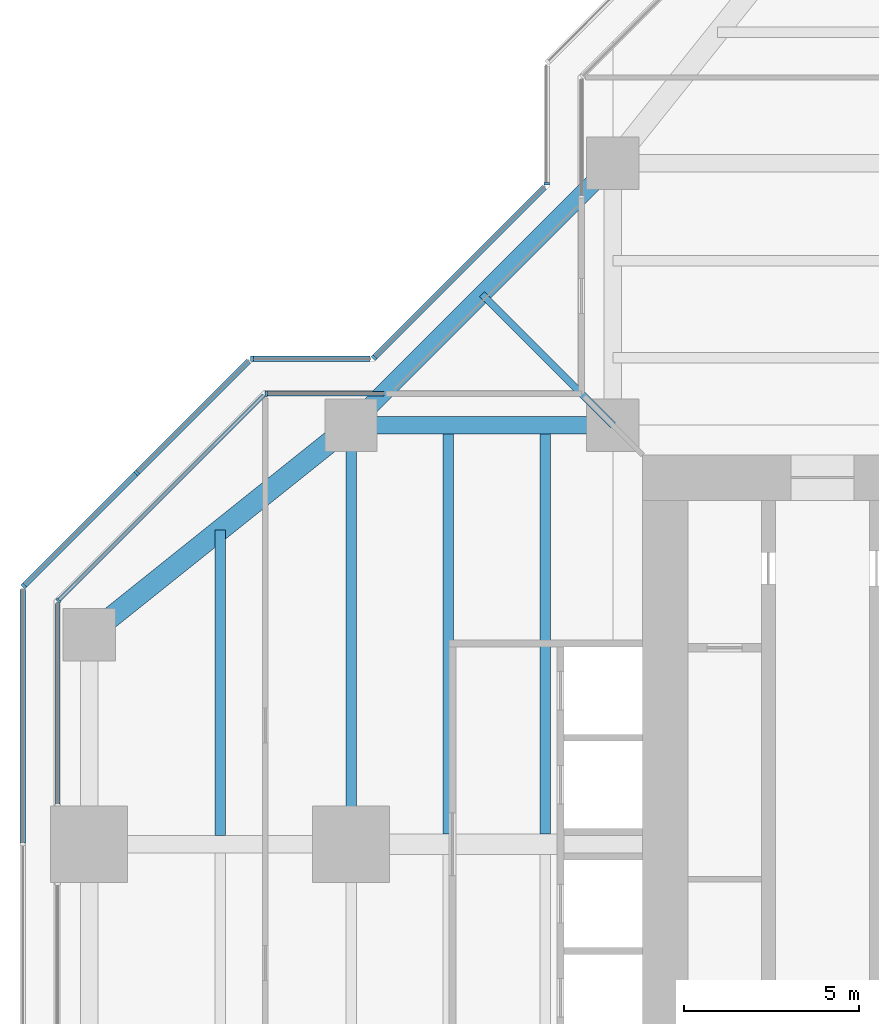
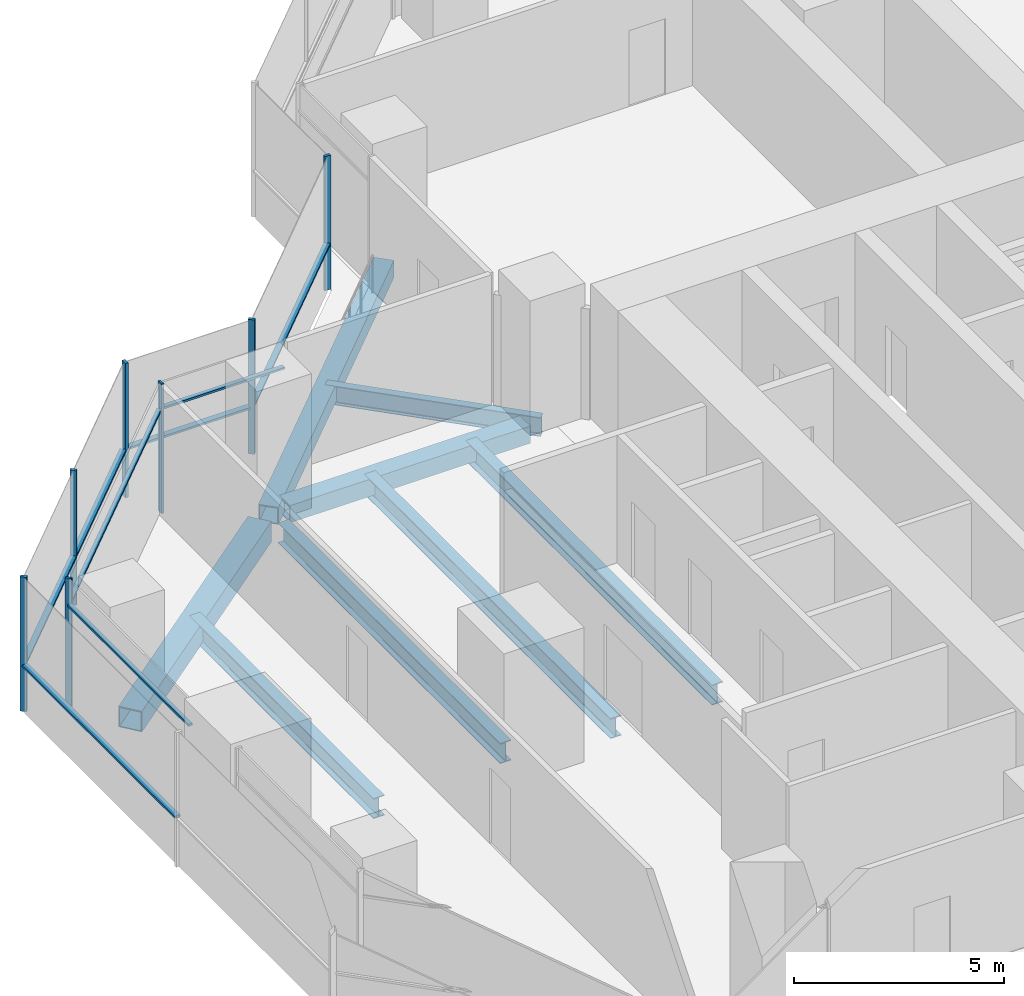
# One storey, part 6 of 17: 15 members, 8 beams, 8 elements without a shape of their own.
"""IFC4 building model written with IfcOpenShell, lengths in metres."""

from ifc_helpers import new_model, si_unit, direction, frame, origin, origin_2d, place, context, subcontext, project, spatial, rectangle, hollow_rectangle, i_section, extrude, material, material_profile, profile_set, type_object, element, aggregate, save


model = new_model("IFC4")

# Units and contexts
model_context = context("Model", 3, precision=1e-05, world=origin(), true_north=direction((0.0, 1.0)))
body_context = subcontext(model_context, "Body", "Model", "MODEL_VIEW")
ifc_project = project(units=[si_unit("LENGTHUNIT", "METRE"), si_unit("AREAUNIT", "SQUARE_METRE"), si_unit("VOLUMEUNIT", "CUBIC_METRE"), si_unit("PLANEANGLEUNIT", "RADIAN"), si_unit("MASSUNIT", "GRAM", prefix="KILO")], contexts=[model_context])

# Site, building, storey
site_placement = place(None, origin())
site = spatial("IfcSite", under=ifc_project, at=site_placement, CompositionType="ELEMENT")
building_placement = place(site_placement, origin())
building = spatial("IfcBuilding", under=site, at=building_placement, Name="Mizan Broadcast Tower", CompositionType="ELEMENT")
storey_placement = place(building_placement, frame((0.0, 0.0, 216.60009765625)))
storey = spatial("IfcBuildingStorey", under=building, at=storey_placement, Name="L50", CompositionType="ELEMENT", Elevation=216.60009765625)

# Beams
ifc_material_1 = material(Name="Steel S355", Category="steel")
ifc_material_profile_1 = material_profile(ifc_material_1, hollow_rectangle(XDim=0.5, YDim=0.5, WallThickness=0.030029296875, at=origin_2d()), Name="BOX 500x500x30")
ifc_profile_set_1 = profile_set([ifc_material_profile_1], Name="Steel S355")
beam_type_1 = type_object("IfcBeamType", Name="EDGE BEAM BOX 500x500x30", PredefinedType="SPANDREL", material=ifc_profile_set_1)
beam_1_placement = place(storey_placement, frame((-12.449951171875, 12.0, -0.380126953125), z_axis=(-1.0, 0.0, 0.0), x_axis=(0.0, -1.0, 0.0)))
element("IfcBeam", 1, at=beam_1_placement, inside=storey, type_object=beam_type_1, Name="Edge beam BOX 500x500x30 L50 west arm", PredefinedType="SPANDREL", context=body_context, shape_type="SweptSolid", body=[
    extrude(hollow_rectangle(XDim=0.5, YDim=0.5, WallThickness=0.030029296875, at=origin_2d()), origin(), (0.0, 0.0, 1.0), 6.60009765625),
])
beam_2_placement = place(storey_placement, frame((-12.0, 19.5, -0.380126953125), z_axis=(-0.707106781187, -0.707106781187, 0.0), x_axis=(0.707106781187, -0.707106781187, 0.0)))
element("IfcBeam", 2, at=beam_2_placement, inside=storey, type_object=beam_type_1, Name="Winter garden edge beam L50 N", PredefinedType="SPANDREL", context=body_context, shape_type="SweptSolid", body=[
    extrude(hollow_rectangle(XDim=0.5, YDim=0.5, WallThickness=0.030029296875, at=origin_2d()), origin(), (0.0, 0.0, 1.0), 10.606689453125),
])
ifc_material_2 = material(Name="Steel S355", Category="steel")
ifc_material_profile_2 = material_profile(ifc_material_2, hollow_rectangle(XDim=0.60009765625, YDim=0.60009765625, WallThickness=0.030029296875, at=origin_2d()), Name="BOX 600x600x30")
ifc_profile_set_2 = profile_set([ifc_material_profile_2], Name="Steel S355")
beam_type_2 = type_object("IfcBeamType", Name="EDGE BEAM BOX 600x600x30", PredefinedType="SPANDREL", material=ifc_profile_set_2)
beam_3_placement = place(storey_placement, frame((-19.949951171875, 11.639892578125, -0.43017578125), z_axis=(-0.780885717636, -0.624673911726, 0.0), x_axis=(0.624673911726, -0.780885717636, 0.0)))
element("IfcBeam", 3, at=beam_3_placement, inside=storey, type_object=beam_type_2, Name="Edge beam BOX 600x600x30 L50 west arm", PredefinedType="SPANDREL", context=body_context, shape_type="SweptSolid", body=[
    extrude(hollow_rectangle(XDim=0.60009765625, YDim=0.60009765625, WallThickness=0.030029296875, at=origin_2d()), origin(), (0.0, 0.0, 1.0), 8.4521484375),
])
ifc_material_3 = material(Name="Steel S355", Category="steel")
ifc_material_profile_3 = material_profile(ifc_material_3, i_section(OverallWidth=0.300048828125, OverallDepth=0.590087890625, WebThickness=0.012939453125, FlangeThickness=0.02490234375, FilletRadius=0.027099609375, at=origin_2d()), Name="HEA 600")
ifc_profile_set_3 = profile_set([ifc_material_profile_3], Name="Steel S355")
beam_type_3 = type_object("IfcBeamType", Name="GIRDER HEA 600", PredefinedType="BEAM", material=ifc_profile_set_3)
beam_4_placement = place(storey_placement, frame((-19.5, 11.280029296875, -0.425048828125), z_axis=(0.0, -1.0, 0.0), x_axis=(1.0, 0.0, 0.0)))
element("IfcBeam", 4, at=beam_4_placement, inside=storey, type_object=beam_type_3, Name="Girder HEA 600 L50 west arm", PredefinedType="BEAM", context=body_context, shape_type="SweptSolid", body=[
    extrude(i_section(OverallWidth=0.300048828125, OverallDepth=0.590087890625, WebThickness=0.012939453125, FlangeThickness=0.02490234375, FilletRadius=0.027099609375, at=origin_2d()), origin(), (0.0, 0.0, 1.0), 10.56005859375),
])

# Curtain wall, member
ifc_material_4 = material(Name="Aluminium framed glazing", Category="aluminium")
curtain_wall_type_1 = type_object("IfcCurtainWallType", Name="INNER SKIN HIGH ZONE", PredefinedType="USERDEFINED", material=ifc_material_4)
curtain_wall_1_placement = place(storey_placement, origin())
curtain_wall_1 = element("IfcCurtainWall", 5, at=curtain_wall_1_placement, inside=storey, type_object=curtain_wall_type_1, Name="Inner skin high zone L50 W side", ObjectType="INNER SKIN HIGH ZONE", PredefinedType="USERDEFINED")
ifc_material_5 = material(Name="Aluminium, pale anodised", Category="aluminium")
ifc_material_profile_4 = material_profile(ifc_material_5, rectangle(XDim=0.159912109375, YDim=0.06005859375, at=origin_2d()), Name="MULLION 160x60")
ifc_profile_set_4 = profile_set([ifc_material_profile_4], Name="Aluminium, pale anodised")
member_type_1 = type_object("IfcMemberType", Name="INNER SKIN MULLION 60x160", PredefinedType="MULLION", material=ifc_profile_set_4)
member_1_placement = place(storey_placement, frame((-21.928466796875, 12.89990234375, 0.0), z_axis=(0.0, 0.0, 1.0), x_axis=(0.0, -1.0, 0.0)))
member_1 = element("IfcMember", 6, at=member_1_placement, type_object=member_type_1, Name="Inner skin high zone L50 W side mullion 2", PredefinedType="MULLION", context=body_context, shape_type="SweptSolid", body=[
    extrude(rectangle(XDim=0.159912109375, YDim=0.06005859375, at=origin_2d()), origin(), (0.0, 0.0, 1.0), 3.77001953125),
])

curtain_wall_2_placement = place(storey_placement, origin())
curtain_wall_2 = element("IfcCurtainWall", 7, at=curtain_wall_2_placement, inside=storey, type_object=curtain_wall_type_1, Name="Inner skin high zone L50 W chamfer", ObjectType="INNER SKIN HIGH ZONE", PredefinedType="USERDEFINED")
member_2_placement = place(storey_placement, frame((-27.87890625, 6.979736328125, 0.0), z_axis=(0.0, 0.0, 1.0), x_axis=(0.707106781187, -0.707106781187, 0.0)))
member_2 = element("IfcMember", 8, at=member_2_placement, type_object=member_type_1, Name="Inner skin high zone L50 W chamfer mullion 2", PredefinedType="MULLION", context=body_context, shape_type="SweptSolid", body=[
    extrude(rectangle(XDim=0.159912109375, YDim=0.06005859375, at=origin_2d()), origin(), (0.0, 0.0, 1.0), 3.77001953125),
])

# Member
ifc_material_6 = material(Name="Aluminium, pale anodised", Category="aluminium")
ifc_material_profile_5 = material_profile(ifc_material_6, rectangle(XDim=0.1201171875, YDim=0.06005859375, at=origin_2d()), Name="TRANSOM 120x60")
ifc_profile_set_5 = profile_set([ifc_material_profile_5], Name="Aluminium, pale anodised")
member_type_2 = type_object("IfcMemberType", Name="INNER SKIN TRANSOM 60x120", PredefinedType="USERDEFINED", material=ifc_profile_set_5)
member_3_placement = place(storey_placement, frame((-18.56005859375, 12.89990234375, 3.02978515625), z_axis=(-1.0, 0.0, 0.0), x_axis=(0.0, -1.0, 0.0)))
member_3 = element("IfcMember", 9, at=member_3_placement, type_object=member_type_2, Name="Inner skin high zone L50 W side transom 1.1", ObjectType="TRANSOM", PredefinedType="USERDEFINED", context=body_context, shape_type="SweptSolid", body=[
    extrude(rectangle(XDim=0.1201171875, YDim=0.06005859375, at=origin_2d()), origin(), (0.0, 0.0, 1.0), 3.338623046875),
])

aggregate(curtain_wall_1, [member_1, member_3])

member_4_placement = place(storey_placement, frame((-22.0009765625, 12.857666015625, 3.02978515625), z_axis=(-0.707106781187, -0.707106781187, 0.0), x_axis=(0.707106781187, -0.707106781187, 0.0)))
member_4 = element("IfcMember", 10, at=member_4_placement, type_object=member_type_2, Name="Inner skin high zone L50 W chamfer transom 1.1", ObjectType="TRANSOM", PredefinedType="USERDEFINED", context=body_context, shape_type="SweptSolid", body=[
    extrude(rectangle(XDim=0.1201171875, YDim=0.06005859375, at=origin_2d()), origin(), (0.0, 0.0, 1.0), 8.28271484375),
])

aggregate(curtain_wall_2, [member_2, member_4])

# Curtain wall, member
curtain_wall_3_placement = place(storey_placement, origin())
curtain_wall_3 = element("IfcCurtainWall", 11, at=curtain_wall_3_placement, inside=storey, type_object=curtain_wall_type_1, Name="Inner skin high zone L50 W end", ObjectType="INNER SKIN HIGH ZONE", PredefinedType="USERDEFINED")
member_5_placement = place(storey_placement, frame((-27.89990234375, 6.898681640625, 3.02978515625), z_axis=(0.0, -1.0, 0.0), x_axis=(1.0, 0.0, 0.0)))
member_5 = element("IfcMember", 12, at=member_5_placement, type_object=member_type_2, Name="Inner skin high zone L50 W end transom 1.1", ObjectType="TRANSOM", PredefinedType="USERDEFINED", context=body_context, shape_type="SweptSolid", body=[
    extrude(rectangle(XDim=0.1201171875, YDim=0.06005859375, at=origin_2d()), origin(), (0.0, 0.0, 1.0), 5.73876953125),
])
aggregate(curtain_wall_3, [member_5])

ifc_material_7 = material(Name="Aluminium framed glazing", Category="aluminium")
curtain_wall_type_2 = type_object("IfcCurtainWallType", Name="OUTER SKIN", PredefinedType="USERDEFINED", material=ifc_material_7)
curtain_wall_4_placement = place(storey_placement, origin())
curtain_wall_4 = element("IfcCurtainWall", 13, at=curtain_wall_4_placement, inside=storey, type_object=curtain_wall_type_2, Name="Outer skin L50 N side", ObjectType="OUTER SKIN", PredefinedType="USERDEFINED")
ifc_material_8 = material(Name="Aluminium, pale anodised", Category="aluminium")
ifc_material_profile_6 = material_profile(ifc_material_8, rectangle(XDim=0.159912109375, YDim=0.080078125, at=origin_2d()), Name="MULLION 160x80")
ifc_profile_set_6 = profile_set([ifc_material_profile_6], Name="Aluminium, pale anodised")
member_type_3 = type_object("IfcMemberType", Name="OUTER SKIN MULLION 80x160", PredefinedType="MULLION", material=ifc_profile_set_6)
member_6_placement = place(storey_placement, frame((-13.89990234375, 18.912841796875, 0.0), z_axis=(0.0, 0.0, 1.0), x_axis=(1.0, 0.0, 0.0)))
member_6 = element("IfcMember", 14, at=member_6_placement, type_object=member_type_3, Name="Outer skin L50 N side mullion 2", PredefinedType="MULLION", context=body_context, shape_type="SweptSolid", body=[
    extrude(rectangle(XDim=0.159912109375, YDim=0.080078125, at=origin_2d()), origin(), (0.0, 0.0, 1.0), 3.89990234375),
])
aggregate(curtain_wall_4, [member_6])

curtain_wall_5_placement = place(storey_placement, origin())
curtain_wall_5 = element("IfcCurtainWall", 15, at=curtain_wall_5_placement, inside=storey, type_object=curtain_wall_type_2, Name="Outer skin L50 W chamfer", ObjectType="OUTER SKIN", PredefinedType="USERDEFINED")
member_7_placement = place(storey_placement, frame((-18.844482421875, 13.92822265625, 0.0), z_axis=(0.0, 0.0, 1.0), x_axis=(0.707106781187, -0.707106781187, 0.0)))
member_7 = element("IfcMember", 16, at=member_7_placement, type_object=member_type_3, Name="Outer skin L50 W chamfer mullion 2", PredefinedType="MULLION", context=body_context, shape_type="SweptSolid", body=[
    extrude(rectangle(XDim=0.159912109375, YDim=0.080078125, at=origin_2d()), origin(), (0.0, 0.0, 1.0), 3.89990234375),
])

curtain_wall_6_placement = place(storey_placement, origin())
curtain_wall_6 = element("IfcCurtainWall", 17, at=curtain_wall_6_placement, inside=storey, type_object=curtain_wall_type_2, Name="Outer skin L50 W side", ObjectType="OUTER SKIN", PredefinedType="USERDEFINED")
member_8_placement = place(storey_placement, frame((-22.332763671875, 13.89990234375, 0.0), z_axis=(0.0, 0.0, 1.0), x_axis=(0.0, -1.0, 0.0)))
member_8 = element("IfcMember", 18, at=member_8_placement, type_object=member_type_3, Name="Outer skin L50 W side mullion 2", PredefinedType="MULLION", context=body_context, shape_type="SweptSolid", body=[
    extrude(rectangle(XDim=0.159912109375, YDim=0.080078125, at=origin_2d()), origin(), (0.0, 0.0, 1.0), 3.89990234375),
])

# Curtain wall, members
curtain_wall_7_placement = place(storey_placement, origin())
curtain_wall_7 = element("IfcCurtainWall", 19, at=curtain_wall_7_placement, inside=storey, type_object=curtain_wall_type_2, Name="Outer skin L50 W chamfer", ObjectType="OUTER SKIN", PredefinedType="USERDEFINED")
member_9_placement = place(storey_placement, frame((-25.636474609375, 10.636474609375, 0.0), z_axis=(0.0, 0.0, 1.0), x_axis=(0.707106781187, -0.707106781187, 0.0)))
member_9 = element("IfcMember", 20, at=member_9_placement, type_object=member_type_3, Name="Outer skin L50 W chamfer mullion 2", PredefinedType="MULLION", context=body_context, shape_type="SweptSolid", body=[
    extrude(rectangle(XDim=0.159912109375, YDim=0.080078125, at=origin_2d()), origin(), (0.0, 0.0, 1.0), 3.89990234375),
])
member_10_placement = place(storey_placement, frame((-28.871826171875, 7.401123046875, 0.0), z_axis=(0.0, 0.0, 1.0), x_axis=(0.707106781187, -0.707106781187, 0.0)))
member_10 = element("IfcMember", 21, at=member_10_placement, type_object=member_type_3, Name="Outer skin L50 W chamfer mullion 3", PredefinedType="MULLION", context=body_context, shape_type="SweptSolid", body=[
    extrude(rectangle(XDim=0.159912109375, YDim=0.080078125, at=origin_2d()), origin(), (0.0, 0.0, 1.0), 3.89990234375),
])

# Member
ifc_material_9 = material(Name="Aluminium, pale anodised", Category="aluminium")
ifc_material_profile_7 = material_profile(ifc_material_9, rectangle(XDim=0.159912109375, YDim=0.06005859375, at=origin_2d()), Name="TRANSOM 160x60")
ifc_profile_set_7 = profile_set([ifc_material_profile_7], Name="Aluminium, pale anodised")
member_type_4 = type_object("IfcMemberType", Name="OUTER SKIN TRANSOM 60x160", PredefinedType="USERDEFINED", material=ifc_profile_set_7)
member_11_placement = place(storey_placement, frame((-13.95654296875, 18.816162109375, 1.39990234375), z_axis=(-0.707106781187, -0.707106781187, 0.0), x_axis=(0.707106781187, -0.707106781187, 0.0)))
member_11 = element("IfcMember", 22, at=member_11_placement, type_object=member_type_4, Name="Outer skin L50 W chamfer transom 1.1", ObjectType="TRANSOM", PredefinedType="USERDEFINED", context=body_context, shape_type="SweptSolid", body=[
    extrude(rectangle(XDim=0.159912109375, YDim=0.06005859375, at=origin_2d()), origin(), (0.0, 0.0, 1.0), 6.87255859375),
])

aggregate(curtain_wall_5, [member_7, member_11])

member_12_placement = place(storey_placement, frame((-18.952880859375, 13.89990234375, 1.39990234375), z_axis=(-1.0, 0.0, 0.0), x_axis=(0.0, -1.0, 0.0)))
member_12 = element("IfcMember", 23, at=member_12_placement, type_object=member_type_4, Name="Outer skin L50 W side transom 1.1", ObjectType="TRANSOM", PredefinedType="USERDEFINED", context=body_context, shape_type="SweptSolid", body=[
    extrude(rectangle(XDim=0.159912109375, YDim=0.06005859375, at=origin_2d()), origin(), (0.0, 0.0, 1.0), 3.33984375),
])

aggregate(curtain_wall_6, [member_8, member_12])

member_13_placement = place(storey_placement, frame((-22.429443359375, 13.843505859375, 1.39990234375), z_axis=(-0.707106781187, -0.707106781187, 0.0), x_axis=(0.707106781187, -0.707106781187, 0.0)))
member_13 = element("IfcMember", 24, at=member_13_placement, type_object=member_type_4, Name="Outer skin L50 W chamfer transom 1.1", ObjectType="TRANSOM", PredefinedType="USERDEFINED", context=body_context, shape_type="SweptSolid", body=[
    extrude(rectangle(XDim=0.159912109375, YDim=0.06005859375, at=origin_2d()), origin(), (0.0, 0.0, 1.0), 4.495361328125),
])

member_14_placement = place(storey_placement, frame((-25.664794921875, 10.608154296875, 1.39990234375), z_axis=(-0.707106781187, -0.707106781187, 0.0), x_axis=(0.707106781187, -0.707106781187, 0.0)))
member_14 = element("IfcMember", 25, at=member_14_placement, type_object=member_type_4, Name="Outer skin L50 W chamfer transom 2.1", ObjectType="TRANSOM", PredefinedType="USERDEFINED", context=body_context, shape_type="SweptSolid", body=[
    extrude(rectangle(XDim=0.159912109375, YDim=0.06005859375, at=origin_2d()), origin(), (0.0, 0.0, 1.0), 4.495361328125),
])

aggregate(curtain_wall_7, [member_9, member_10, member_13, member_14])

# Curtain wall, member
curtain_wall_8_placement = place(storey_placement, origin())
curtain_wall_8 = element("IfcCurtainWall", 26, at=curtain_wall_8_placement, inside=storey, type_object=curtain_wall_type_2, Name="Outer skin L50 W end", ObjectType="OUTER SKIN", PredefinedType="USERDEFINED")
member_15_placement = place(storey_placement, frame((-28.89990234375, 7.292724609375, 1.39990234375), z_axis=(0.0, -1.0, 0.0), x_axis=(1.0, 0.0, 0.0)))
member_15 = element("IfcMember", 27, at=member_15_placement, type_object=member_type_4, Name="Outer skin L50 W end transom 1.1", ObjectType="TRANSOM", PredefinedType="USERDEFINED", context=body_context, shape_type="SweptSolid", body=[
    extrude(rectangle(XDim=0.159912109375, YDim=0.06005859375, at=origin_2d()), origin(), (0.0, 0.0, 1.0), 7.252685546875),
])
aggregate(curtain_wall_8, [member_15])

# Beams
ifc_material_10 = material(Name="Steel S355", Category="steel")
ifc_material_profile_8 = material_profile(ifc_material_10, i_section(OverallWidth=0.300048828125, OverallDepth=0.590087890625, WebThickness=0.012939453125, FlangeThickness=0.02490234375, FilletRadius=0.027099609375, at=origin_2d()), Name="HEA 600")
ifc_profile_set_8 = profile_set([ifc_material_profile_8], Name="Steel S355")
beam_type_4 = type_object("IfcBeamType", Name="SECONDARY BEAM HEA 600", PredefinedType="JOIST", material=ifc_profile_set_8)
for number, where, z_axis, x_axis, name in (
    (28, (-13.933349609375, 12.0, -0.425048828125), (0.0, -1.0, 0.0), (1.0, 0.0, 0.0), "Secondary beam HEA 600 L50 west arm"),
    (29, (-16.716552734375, 12.0, -0.425048828125), (0.0, -1.0, 0.0), (1.0, 0.0, 0.0), "Secondary beam HEA 600 L50 west arm"),
):
    element("IfcBeam", number, at=place(storey_placement, frame(where, z_axis=z_axis, x_axis=x_axis)), inside=storey, type_object=beam_type_4, Name=name, PredefinedType="JOIST", context=body_context, shape_type="SweptSolid", body=[
        extrude(i_section(OverallWidth=0.300048828125, OverallDepth=0.590087890625, WebThickness=0.012939453125, FlangeThickness=0.02490234375, FilletRadius=0.027099609375, at=origin_2d()), origin(), (0.0, 0.0, 1.0), 11.699951171875),
    ])
beam_5_placement = place(storey_placement, frame((-23.25, 9.0, -0.425048828125), z_axis=(0.0, -1.0, 0.0), x_axis=(1.0, 0.0, 0.0)))
element("IfcBeam", 30, at=beam_5_placement, inside=storey, type_object=beam_type_4, Name="Secondary beam HEA 600 L50 west arm", PredefinedType="JOIST", context=body_context, shape_type="SweptSolid", body=[
    extrude(i_section(OverallWidth=0.300048828125, OverallDepth=0.590087890625, WebThickness=0.012939453125, FlangeThickness=0.02490234375, FilletRadius=0.027099609375, at=origin_2d()), origin(), (0.0, 0.0, 1.0), 8.75),
])
ifc_material_11 = material(Name="Steel S355", Category="steel")
ifc_material_profile_9 = material_profile(ifc_material_11, i_section(OverallWidth=0.2099609375, OverallDepth=0.550048828125, WebThickness=0.010986328125, FlangeThickness=0.01708984375, FilletRadius=0.02392578125, at=origin_2d()), Name="IPE 550")
ifc_profile_set_9 = profile_set([ifc_material_profile_9], Name="Steel S355")
beam_type_5 = type_object("IfcBeamType", Name="SECONDARY BEAM IPE 550", PredefinedType="JOIST", material=ifc_profile_set_9)
beam_6_placement = place(storey_placement, frame((-12.0, 12.0, -0.405029296875), z_axis=(-0.707106781187, 0.707106781187, 0.0), x_axis=(-0.707106781187, -0.707106781187, 0.0)))
element("IfcBeam", 31, at=beam_6_placement, inside=storey, type_object=beam_type_5, Name="Winter garden beam L50 N", PredefinedType="JOIST", context=body_context, shape_type="SweptSolid", body=[
    extrude(i_section(OverallWidth=0.2099609375, OverallDepth=0.550048828125, WebThickness=0.010986328125, FlangeThickness=0.01708984375, FilletRadius=0.02392578125, at=origin_2d()), origin(), (0.0, 0.0, 1.0), 5.30322265625),
])

save(model, "model.ifc")
